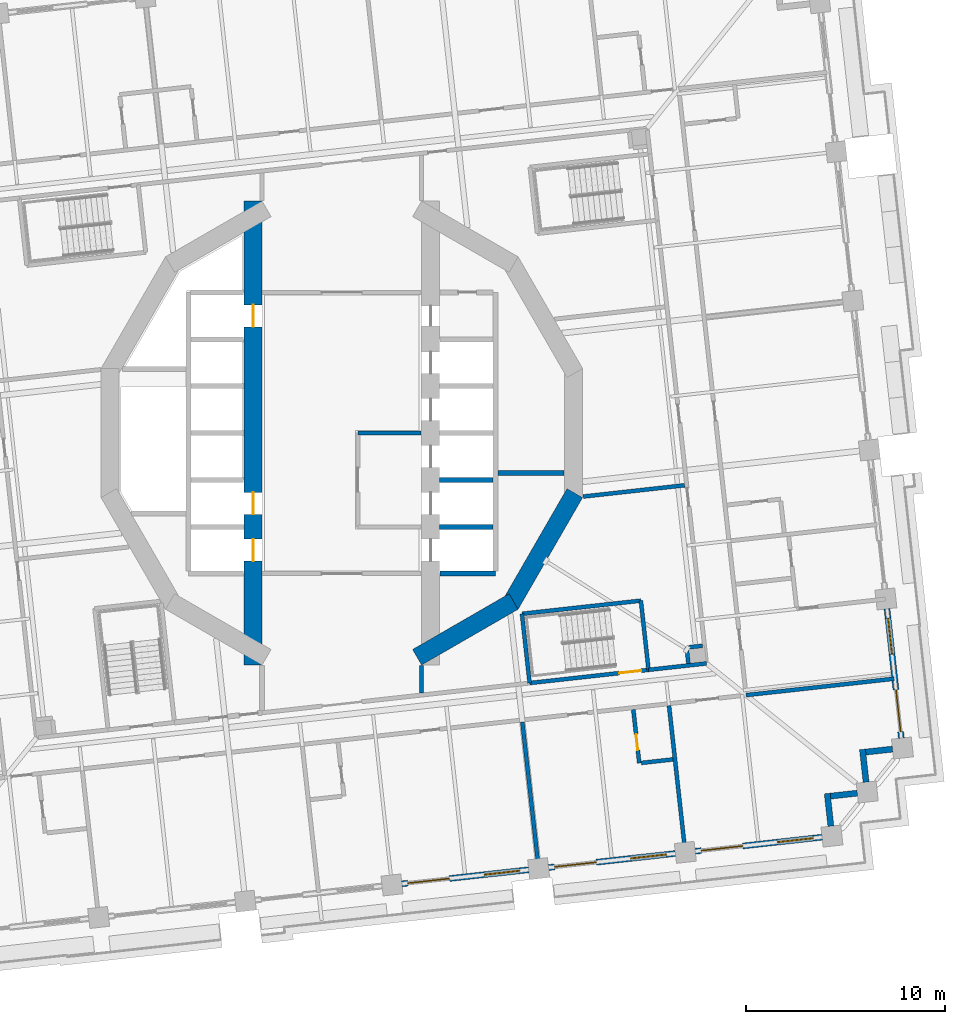
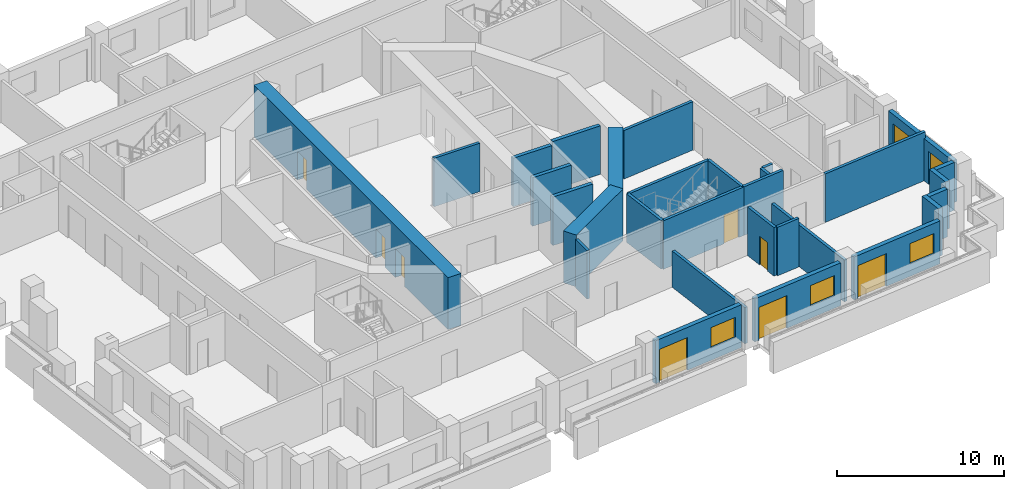
# One storey, part 6 of 19: 30 walls, 9 doors, 4 windows, 13 openings.
"""IFC4 building model written with IfcOpenShell, lengths in metres."""

from ifc_helpers import new_model, si_unit, direction, frame, frame_2d, origin, place, context, subcontext, project, spatial, rectangle, extrude, material, layer, layer_set, type_object, element, fill, save


model = new_model("IFC4")

# Units and contexts
model_context = context("Model", 3, precision=1e-05, world=origin(), true_north=direction((0.0, 1.0)))
body_context = subcontext(model_context, "Body", "Model", "MODEL_VIEW")
ifc_project = project(units=[si_unit("LENGTHUNIT", "METRE"), si_unit("AREAUNIT", "SQUARE_METRE"), si_unit("VOLUMEUNIT", "CUBIC_METRE"), si_unit("PLANEANGLEUNIT", "RADIAN"), si_unit("MASSUNIT", "GRAM", prefix="KILO")], contexts=[model_context])

# Site, building, storey
site_placement = place(None, origin())
site = spatial("IfcSite", under=ifc_project, at=site_placement, CompositionType="ELEMENT")
building_placement = place(site_placement, origin())
building = spatial("IfcBuilding", under=site, at=building_placement, Name="Cantera Rosa Tower", CompositionType="ELEMENT")
storey_placement = place(building_placement, frame((0.0, 0.0, 65.300048828125)))
storey = spatial("IfcBuildingStorey", under=building, at=storey_placement, Name="L13", CompositionType="ELEMENT", Elevation=65.300048828125)

# Walls
ifc_material_1 = material(Name="Gypsum board partition")
ifc_layer_1 = layer(ifc_material_1, 0.199951171875)
ifc_layer_set_1 = layer_set([ifc_layer_1], Name="CORRIDOR WALL 200 H3550")
wall_type_1 = type_object("IfcWallType", Name="CORRIDOR WALL 200 H3550", PredefinedType="PARTITIONING", material=ifc_layer_set_1)
wall_1_placement = place(storey_placement, frame((4.0, -13.038818359375, 0.0), z_axis=(0.0, 0.0, 1.0), x_axis=(0.0, 1.0, 0.0)))
element("IfcWall", 1, at=wall_1_placement, inside=storey, type_object=wall_type_1, Name="CORRIDOR WALL L13-060", PredefinedType="PARTITIONING", context=body_context, shape_type="SweptSolid", body=[
    extrude(rectangle(XDim=1.37158203125, YDim=0.199951171875, at=frame_2d((0.685791015625, 0.0))), origin(), (0.0, 0.0, 1.0), 3.550048828125),
])
wall_2_placement = place(storey_placement, frame((15.382080078125, -11.87548828125, 0.0), z_axis=(0.0, 0.0, 1.0), x_axis=(0.993899009794, 0.110293963256, 0.0)))
element("IfcWall", 2, at=wall_2_placement, inside=storey, type_object=wall_type_1, Name="CORRIDOR WALL L13-086", PredefinedType="PARTITIONING", context=body_context, shape_type="SweptSolid", body=[
    extrude(rectangle(XDim=2.921875, YDim=0.199951171875, at=frame_2d((1.4609375, 0.0))), origin(), (0.0, 0.0, 1.0), 3.550048828125),
])
ifc_material_2 = material(Name="Hollow clay masonry with cantera stone cladding", Category="masonry")
ifc_layer_2 = layer(ifc_material_2, 0.300048828125)
ifc_layer_set_2 = layer_set([ifc_layer_2], Name="EW-LOGGIA 300")
wall_type_2 = type_object("IfcWallType", Name="EW-LOGGIA 300", PredefinedType="SOLIDWALL", material=ifc_layer_set_2)
wall_3_placement = place(storey_placement, frame((24.5244140625, -19.71484375, 0.0), z_axis=(0.0, 0.0, 1.0), x_axis=(-0.110236638423, 0.993905369514, 0.0)))
element("IfcWall", 3, at=wall_3_placement, inside=storey, type_object=wall_type_2, Name="EN-L13-W29a", PredefinedType="SOLIDWALL", context=body_context, shape_type="SweptSolid", body=[
    extrude(rectangle(XDim=1.64990234375, YDim=0.300048828125, at=frame_2d((0.824951171875, 0.0))), origin(), (0.0, 0.0, 1.0), 3.5),
])
wall_4_placement = place(storey_placement, frame((24.508056640625, -18.20751953125, 0.0), z_axis=(0.0, 0.0, 1.0), x_axis=(0.993896959738, 0.110312435488, 0.0)))
element("IfcWall", 4, at=wall_4_placement, inside=storey, type_object=wall_type_2, Name="EN-L13-W29b", PredefinedType="SOLIDWALL", context=body_context, shape_type="SweptSolid", body=[
    extrude(rectangle(XDim=1.35009765625, YDim=0.300048828125, at=frame_2d((0.675048828125, 0.0))), origin(), (0.0, 0.0, 1.0), 3.5),
])
wall_5_placement = place(storey_placement, frame((26.291748046875, -17.506591796875, 0.0), z_axis=(0.0, 0.0, 1.0), x_axis=(-0.110382805355, 0.993889146878, 0.0)))
element("IfcWall", 5, at=wall_5_placement, inside=storey, type_object=wall_type_2, Name="EN-L13-W30a", PredefinedType="SOLIDWALL", context=body_context, shape_type="SweptSolid", body=[
    extrude(rectangle(XDim=1.64990234375, YDim=0.300048828125, at=frame_2d((0.824951171875, 0.0))), origin(), (0.0, 0.0, 1.0), 3.5),
])
wall_6_placement = place(storey_placement, frame((26.275146484375, -15.999267578125, 0.0), z_axis=(0.0, 0.0, 1.0), x_axis=(0.993896959738, 0.110312435488, 0.0)))
element("IfcWall", 6, at=wall_6_placement, inside=storey, type_object=wall_type_2, Name="EN-L13-W30b", PredefinedType="SOLIDWALL", context=body_context, shape_type="SweptSolid", body=[
    extrude(rectangle(XDim=1.35009765625, YDim=0.300048828125, at=frame_2d((0.675048828125, 0.0))), origin(), (0.0, 0.0, 1.0), 3.5),
])

# Wall, openings, window, door
ifc_material_3 = material(Name="Hollow clay masonry with cantera stone cladding", Category="masonry")
ifc_layer_3 = layer(ifc_material_3, 0.300048828125)
ifc_layer_set_3 = layer_set([ifc_layer_3], Name="EW-LOGGIA 300 H3090")
wall_type_3 = type_object("IfcWallType", Name="EW-LOGGIA 300 H3090", PredefinedType="SOLIDWALL", material=ifc_layer_set_3)
wall_7_placement = place(storey_placement, frame((28.058837890625, -15.298095703125, 0.0), z_axis=(0.0, 0.0, 1.0), x_axis=(-0.110312341265, 0.993896970196, 0.0)))
wall_7 = element("IfcWall", 7, at=wall_7_placement, inside=storey, type_object=wall_type_3, Name="EN-L13-W01", PredefinedType="SOLIDWALL", context=body_context, shape_type="SweptSolid", body=[
    extrude(rectangle(XDim=6.52001953125, YDim=0.300048828125, at=frame_2d((3.260009765625, 0.0))), origin(), (0.0, 0.0, 1.0), 3.08984375),
])
opening_1_placement = place(wall_7_placement, frame((0.330078125, 0.0, 0.0)))
opening_1 = element("IfcOpeningElement", 8, at=opening_1_placement, cuts=wall_7, Name="Opening L13-TD01", PredefinedType="OPENING", context=body_context, shape_type="SweptSolid", body=[
    extrude(rectangle(XDim=2.10009765625, YDim=2.39990234375, at=frame_2d((1.050048828125, 1.199951171875))), frame((0.0, 0.159912109375, 0.0), z_axis=(0.0, -1.0, 0.0), x_axis=(1.0, 0.0, 0.0)), (0.0, 0.0, 1.0), 0.320068359375),
])
opening_2_placement = place(wall_7_placement, frame((4.239990234375, 0.0, 0.89990234375)))
opening_2 = element("IfcOpeningElement", 9, at=opening_2_placement, cuts=wall_7, Name="Opening L13-W02", PredefinedType="OPENING", context=body_context, shape_type="SweptSolid", body=[
    extrude(rectangle(XDim=1.800048828125, YDim=1.5, at=frame_2d((0.89990234375, 0.75))), frame((0.0, 0.159912109375, 0.0), z_axis=(0.0, -1.0, 0.0), x_axis=(1.0, 0.0, 0.0)), (0.0, 0.0, 1.0), 0.320068359375),
])
ifc_material_4 = material(Name="Aluminium frame with clear glass", Category="aluminium")
window_type = type_object("IfcWindowType", Name="Hotel room window 1800x1500", PartitioningType="DOUBLE_PANEL_VERTICAL", PredefinedType="WINDOW", material=ifc_material_4)
window_1_placement = place(opening_2_placement, origin())
window_1 = element("IfcWindow", 10, at=window_1_placement, inside=storey, type_object=window_type, Name="WINDOW L13-W02", OverallHeight=1.5, OverallWidth=1.800048828125, PartitioningType="SINGLE_PANEL", PredefinedType="WINDOW", context=body_context, shape_type="SweptSolid", body=[
    extrude(rectangle(XDim=1.800048828125, YDim=1.5, at=frame_2d((0.89990234375, 0.75))), frame((0.0, 0.030029296875, 0.0), z_axis=(0.0, -1.0, 0.0), x_axis=(1.0, 0.0, 0.0)), (0.0, 0.0, 1.0), 0.06005859375),
])
fill(opening_2, window_1)
ifc_material_5 = material(Name="Aluminium frame with clear glass", Category="aluminium")
door_type_1 = type_object("IfcDoorType", Name="TD-H 2100x2400", OperationType="NOTDEFINED", PredefinedType="DOOR", material=ifc_material_5)
door_1_placement = place(opening_1_placement, origin())
door_1 = element("IfcDoor", 11, at=door_1_placement, inside=storey, type_object=door_type_1, Name="LOGGIA DOOR L13-TD01", OperationType="SLIDING_TO_LEFT", OverallHeight=2.39990234375, OverallWidth=2.10009765625, PredefinedType="DOOR", context=body_context, shape_type="SweptSolid", body=[
    extrude(rectangle(XDim=2.10009765625, YDim=2.39990234375, at=frame_2d((1.050048828125, 1.199951171875))), frame((0.0, 0.02490234375, 0.0), z_axis=(0.0, -1.0, 0.0), x_axis=(1.0, 0.0, 0.0)), (0.0, 0.0, 1.0), 0.050048828125),
])
fill(opening_1, door_1)

ifc_material_6 = material(Name="Hollow clay masonry with cantera stone cladding", Category="masonry")
ifc_layer_4 = layer(ifc_material_6, 0.300048828125)
ifc_layer_set_4 = layer_set([ifc_layer_4], Name="EW-LOGGIA 300 H3140")
wall_type_4 = type_object("IfcWallType", Name="EW-LOGGIA 300 H3140", PredefinedType="SOLIDWALL", material=ifc_layer_set_4)
wall_8_placement = place(storey_placement, frame((3.011962890625, -22.605712890625, 0.0), z_axis=(0.0, 0.0, 1.0), x_axis=(0.993896288542, 0.110318482689, 0.0)))
wall_8 = element("IfcWall", 12, at=wall_8_placement, inside=storey, type_object=wall_type_4, Name="EN-L13-W26", PredefinedType="SOLIDWALL", context=body_context, shape_type="SweptSolid", body=[
    extrude(rectangle(XDim=6.400146484375, YDim=0.300048828125, at=frame_2d((3.2001953125, 0.0))), origin(), (0.0, 0.0, 1.0), 3.139892578125),
])
opening_3_placement = place(wall_8_placement, frame((0.300048828125, 0.0, 0.0)))
opening_3 = element("IfcOpeningElement", 13, at=opening_3_placement, cuts=wall_8, Name="Opening L13-TD35", PredefinedType="OPENING", context=body_context, shape_type="SweptSolid", body=[
    extrude(rectangle(XDim=2.10009765625, YDim=2.39990234375, at=frame_2d((1.050048828125, 1.199951171875))), frame((0.0, 0.159912109375, 0.0), z_axis=(0.0, -1.0, 0.0), x_axis=(1.0, 0.0, 0.0)), (0.0, 0.0, 1.0), 0.320068359375),
])
opening_4_placement = place(wall_8_placement, frame((4.14990234375, 0.0, 0.89990234375)))
opening_4 = element("IfcOpeningElement", 14, at=opening_4_placement, cuts=wall_8, Name="Opening L13-W36", PredefinedType="OPENING", context=body_context, shape_type="SweptSolid", body=[
    extrude(rectangle(XDim=1.800048828125, YDim=1.5, at=frame_2d((0.89990234375, 0.75))), frame((0.0, 0.159912109375, 0.0), z_axis=(0.0, -1.0, 0.0), x_axis=(1.0, 0.0, 0.0)), (0.0, 0.0, 1.0), 0.320068359375),
])
window_2_placement = place(opening_4_placement, origin())
window_2 = element("IfcWindow", 15, at=window_2_placement, inside=storey, type_object=window_type, Name="WINDOW L13-W36", OverallHeight=1.5, OverallWidth=1.800048828125, PartitioningType="SINGLE_PANEL", PredefinedType="WINDOW", context=body_context, shape_type="SweptSolid", body=[
    extrude(rectangle(XDim=1.800048828125, YDim=1.5, at=frame_2d((0.89990234375, 0.75))), frame((0.0, 0.030029296875, 0.0), z_axis=(0.0, -1.0, 0.0), x_axis=(1.0, 0.0, 0.0)), (0.0, 0.0, 1.0), 0.06005859375),
])
fill(opening_4, window_2)
door_2_placement = place(opening_3_placement, origin())
door_2 = element("IfcDoor", 16, at=door_2_placement, inside=storey, type_object=door_type_1, Name="LOGGIA DOOR L13-TD35", OperationType="SLIDING_TO_LEFT", OverallHeight=2.39990234375, OverallWidth=2.10009765625, PredefinedType="DOOR", context=body_context, shape_type="SweptSolid", body=[
    extrude(rectangle(XDim=2.10009765625, YDim=2.39990234375, at=frame_2d((1.050048828125, 1.199951171875))), frame((0.0, 0.02490234375, 0.0), z_axis=(0.0, -1.0, 0.0), x_axis=(1.0, 0.0, 0.0)), (0.0, 0.0, 1.0), 0.050048828125),
])
fill(opening_3, door_2)

wall_9_placement = place(storey_placement, frame((10.366943359375, -21.789306640625, 0.0), z_axis=(0.0, 0.0, 1.0), x_axis=(0.993900006422, 0.110284981906, 0.0)))
wall_9 = element("IfcWall", 17, at=wall_9_placement, inside=storey, type_object=wall_type_4, Name="EN-L13-W27", PredefinedType="SOLIDWALL", context=body_context, shape_type="SweptSolid", body=[
    extrude(rectangle(XDim=6.39990234375, YDim=0.300048828125, at=frame_2d((3.199951171875, 0.0))), origin(), (0.0, 0.0, 1.0), 3.139892578125),
])
opening_5_placement = place(wall_9_placement, frame((0.300048828125, 0.0, 0.0)))
opening_5 = element("IfcOpeningElement", 18, at=opening_5_placement, cuts=wall_9, Name="Opening L13-TD37", PredefinedType="OPENING", context=body_context, shape_type="SweptSolid", body=[
    extrude(rectangle(XDim=2.10009765625, YDim=2.39990234375, at=frame_2d((1.050048828125, 1.199951171875))), frame((0.0, 0.159912109375, 0.0), z_axis=(0.0, -1.0, 0.0), x_axis=(1.0, 0.0, 0.0)), (0.0, 0.0, 1.0), 0.320068359375),
])
opening_6_placement = place(wall_9_placement, frame((4.14990234375, 0.0, 0.89990234375)))
opening_6 = element("IfcOpeningElement", 19, at=opening_6_placement, cuts=wall_9, Name="Opening L13-W38", PredefinedType="OPENING", context=body_context, shape_type="SweptSolid", body=[
    extrude(rectangle(XDim=1.800048828125, YDim=1.5, at=frame_2d((0.89990234375, 0.75))), frame((0.0, 0.159912109375, 0.0), z_axis=(0.0, -1.0, 0.0), x_axis=(1.0, 0.0, 0.0)), (0.0, 0.0, 1.0), 0.320068359375),
])
window_3_placement = place(opening_6_placement, origin())
window_3 = element("IfcWindow", 20, at=window_3_placement, inside=storey, type_object=window_type, Name="WINDOW L13-W38", OverallHeight=1.5, OverallWidth=1.800048828125, PartitioningType="SINGLE_PANEL", PredefinedType="WINDOW", context=body_context, shape_type="SweptSolid", body=[
    extrude(rectangle(XDim=1.800048828125, YDim=1.5, at=frame_2d((0.89990234375, 0.75))), frame((0.0, 0.030029296875, 0.0), z_axis=(0.0, -1.0, 0.0), x_axis=(1.0, 0.0, 0.0)), (0.0, 0.0, 1.0), 0.06005859375),
])
fill(opening_6, window_3)
door_3_placement = place(opening_5_placement, origin())
door_3 = element("IfcDoor", 21, at=door_3_placement, inside=storey, type_object=door_type_1, Name="LOGGIA DOOR L13-TD37", OperationType="SLIDING_TO_LEFT", OverallHeight=2.39990234375, OverallWidth=2.10009765625, PredefinedType="DOOR", context=body_context, shape_type="SweptSolid", body=[
    extrude(rectangle(XDim=2.10009765625, YDim=2.39990234375, at=frame_2d((1.050048828125, 1.199951171875))), frame((0.0, 0.02490234375, 0.0), z_axis=(0.0, -1.0, 0.0), x_axis=(1.0, 0.0, 0.0)), (0.0, 0.0, 1.0), 0.050048828125),
])
fill(opening_5, door_3)

wall_10_placement = place(storey_placement, frame((17.7216796875, -20.97314453125, 0.0), z_axis=(0.0, 0.0, 1.0), x_axis=(0.993896288542, 0.110318482689, 0.0)))
wall_10 = element("IfcWall", 22, at=wall_10_placement, inside=storey, type_object=wall_type_4, Name="EN-L13-W28", PredefinedType="SOLIDWALL", context=body_context, shape_type="SweptSolid", body=[
    extrude(rectangle(XDim=6.400146484375, YDim=0.300048828125, at=frame_2d((3.2001953125, 0.0))), origin(), (0.0, 0.0, 1.0), 3.139892578125),
])
opening_7_placement = place(wall_10_placement, frame((0.300048828125, 0.0, 0.0)))
opening_7 = element("IfcOpeningElement", 23, at=opening_7_placement, cuts=wall_10, Name="Opening L13-TD39", PredefinedType="OPENING", context=body_context, shape_type="SweptSolid", body=[
    extrude(rectangle(XDim=2.10009765625, YDim=2.39990234375, at=frame_2d((1.050048828125, 1.199951171875))), frame((0.0, 0.159912109375, 0.0), z_axis=(0.0, -1.0, 0.0), x_axis=(1.0, 0.0, 0.0)), (0.0, 0.0, 1.0), 0.320068359375),
])
opening_8_placement = place(wall_10_placement, frame((4.14990234375, 0.0, 0.89990234375)))
opening_8 = element("IfcOpeningElement", 24, at=opening_8_placement, cuts=wall_10, Name="Opening L13-W40", PredefinedType="OPENING", context=body_context, shape_type="SweptSolid", body=[
    extrude(rectangle(XDim=1.800048828125, YDim=1.5, at=frame_2d((0.89990234375, 0.75))), frame((0.0, 0.159912109375, 0.0), z_axis=(0.0, -1.0, 0.0), x_axis=(1.0, 0.0, 0.0)), (0.0, 0.0, 1.0), 0.320068359375),
])
window_4_placement = place(opening_8_placement, origin())
window_4 = element("IfcWindow", 25, at=window_4_placement, inside=storey, type_object=window_type, Name="WINDOW L13-W40", OverallHeight=1.5, OverallWidth=1.800048828125, PartitioningType="SINGLE_PANEL", PredefinedType="WINDOW", context=body_context, shape_type="SweptSolid", body=[
    extrude(rectangle(XDim=1.800048828125, YDim=1.5, at=frame_2d((0.89990234375, 0.75))), frame((0.0, 0.030029296875, 0.0), z_axis=(0.0, -1.0, 0.0), x_axis=(1.0, 0.0, 0.0)), (0.0, 0.0, 1.0), 0.06005859375),
])
fill(opening_8, window_4)
door_4_placement = place(opening_7_placement, origin())
door_4 = element("IfcDoor", 26, at=door_4_placement, inside=storey, type_object=door_type_1, Name="LOGGIA DOOR L13-TD39", OperationType="SLIDING_TO_LEFT", OverallHeight=2.39990234375, OverallWidth=2.10009765625, PredefinedType="DOOR", context=body_context, shape_type="SweptSolid", body=[
    extrude(rectangle(XDim=2.10009765625, YDim=2.39990234375, at=frame_2d((1.050048828125, 1.199951171875))), frame((0.0, 0.02490234375, 0.0), z_axis=(0.0, -1.0, 0.0), x_axis=(1.0, 0.0, 0.0)), (0.0, 0.0, 1.0), 0.050048828125),
])
fill(opening_7, door_4)

# Wall, opening, door
ifc_material_7 = material(Name="Gypsum board partition")
ifc_layer_5 = layer(ifc_material_7, 0.199951171875)
ifc_layer_set_5 = layer_set([ifc_layer_5], Name="PARTITION 200 H3550")
wall_type_5 = type_object("IfcWallType", Name="PARTITION 200 H3550", PredefinedType="PARTITIONING", material=ifc_layer_set_5)
wall_11_placement = place(storey_placement, frame((14.917236328125, -16.555419921875, 0.0), z_axis=(0.0, 0.0, 1.0), x_axis=(-0.110312435488, 0.993896959738, 0.0)))
wall_11 = element("IfcWall", 27, at=wall_11_placement, inside=storey, type_object=wall_type_5, Name="PARTITION L13-082", PredefinedType="PARTITIONING", context=body_context, shape_type="SweptSolid", body=[
    extrude(rectangle(XDim=2.699951171875, YDim=0.199951171875, at=frame_2d((1.35009765625, 0.0))), origin(), (0.0, 0.0, 1.0), 3.550048828125),
])
opening_9_placement = place(wall_11_placement, frame((0.6640625, 0.0, 0.0)))
opening_9 = element("IfcOpeningElement", 28, at=opening_9_placement, cuts=wall_11, Name="Opening L13-041", PredefinedType="OPENING", context=body_context, shape_type="SweptSolid", body=[
    extrude(rectangle(XDim=0.800048828125, YDim=2.10009765625, at=frame_2d((0.39990234375, 1.050048828125))), frame((0.0, 0.10986328125, 0.0), z_axis=(0.0, -1.0, 0.0), x_axis=(1.0, 0.0, 0.0)), (0.0, 0.0, 1.0), 0.219970703125),
])
ifc_material_8 = material(Name="Timber door leaf", Category="wood")
door_type_2 = type_object("IfcDoorType", Name="BATHROOM DOOR 800x2100", OperationType="NOTDEFINED", PredefinedType="DOOR", material=ifc_material_8)
door_5_placement = place(opening_9_placement, origin())
door_5 = element("IfcDoor", 29, at=door_5_placement, inside=storey, type_object=door_type_2, Name="DOOR L13-041", OperationType="NOTDEFINED", OverallHeight=2.10009765625, OverallWidth=0.800048828125, PredefinedType="DOOR", context=body_context, shape_type="SweptSolid", body=[
    extrude(rectangle(XDim=0.800048828125, YDim=2.10009765625, at=frame_2d((0.39990234375, 1.050048828125))), frame((0.0, 0.02490234375, 0.0), z_axis=(0.0, -1.0, 0.0), x_axis=(1.0, 0.0, 0.0)), (0.0, 0.0, 1.0), 0.050048828125),
])
fill(opening_9, door_5)

# Walls
wall_12_placement = place(storey_placement, frame((16.60693359375, -16.367919921875, 0.0), z_axis=(0.0, 0.0, 1.0), x_axis=(-0.99389675276, -0.110314300314, 0.0)))
element("IfcWall", 30, at=wall_12_placement, inside=storey, type_object=wall_type_5, Name="PARTITION L13-091", PredefinedType="PARTITIONING", context=body_context, shape_type="SweptSolid", body=[
    extrude(rectangle(XDim=1.60009765625, YDim=0.199951171875, at=frame_2d((0.800048828125, 0.0))), origin(), (0.0, 0.0, 1.0), 3.550048828125),
])
wall_13_placement = place(storey_placement, frame((17.292236328125, -10.758056640625, 0.0), z_axis=(0.0, 0.0, 1.0), x_axis=(0.110465018303, -0.993880012744, 0.0)))
element("IfcWall", 31, at=wall_13_placement, inside=storey, type_object=wall_type_5, Name="PARTITION L13-094", PredefinedType="PARTITIONING", context=body_context, shape_type="SweptSolid", body=[
    extrude(rectangle(XDim=0.800048828125, YDim=0.199951171875, at=frame_2d((0.39990234375, 0.0))), origin(), (0.0, 0.0, 1.0), 3.550048828125),
])
wall_14_placement = place(storey_placement, frame((17.19384765625, -2.619384765625, 0.0), z_axis=(0.0, 0.0, 1.0), x_axis=(-0.993901744429, -0.110269317674, 0.0)))
element("IfcWall", 32, at=wall_14_placement, inside=storey, type_object=wall_type_5, Name="PARTITION L13-095", PredefinedType="PARTITIONING", context=body_context, shape_type="SweptSolid", body=[
    extrude(rectangle(XDim=5.12109375, YDim=0.199951171875, at=frame_2d((2.560546875, 0.0))), origin(), (0.0, 0.0, 1.0), 3.550048828125),
])
wall_15_placement = place(storey_placement, frame((18.08740234375, -10.669921875, 0.0), z_axis=(0.0, 0.0, 1.0), x_axis=(-0.993909225707, -0.110201865026, 0.0)))
element("IfcWall", 33, at=wall_15_placement, inside=storey, type_object=wall_type_5, Name="PARTITION L13-097", PredefinedType="PARTITIONING", context=body_context, shape_type="SweptSolid", body=[
    extrude(rectangle(XDim=0.699951171875, YDim=0.199951171875, at=frame_2d((0.35009765625, 0.0))), origin(), (0.0, 0.0, 1.0), 3.550048828125),
])
ifc_material_9 = material(Name="Gypsum board partition")
ifc_layer_6 = layer(ifc_material_9, 0.199951171875)
ifc_layer_set_6 = layer_set([ifc_layer_6], Name="PARTY WALL 200 H2650")
wall_type_6 = type_object("IfcWallType", Name="PARTY WALL 200 H2650", PredefinedType="PARTITIONING", material=ifc_layer_set_6)
wall_16_placement = place(storey_placement, frame((9.0537109375, -14.48974609375, 0.0), z_axis=(0.0, 0.0, 1.0), x_axis=(0.11031154238, -0.993897058864, 0.0)))
element("IfcWall", 34, at=wall_16_placement, inside=storey, type_object=wall_type_6, Name="PARTY WALL L13-072", PredefinedType="PARTITIONING", context=body_context, shape_type="SweptSolid", body=[
    extrude(rectangle(XDim=7.369873046875, YDim=0.199951171875, at=frame_2d((3.68505859375, 0.0))), origin(), (0.0, 0.0, 1.0), 2.64990234375),
])
ifc_material_10 = material(Name="Gypsum board partition")
ifc_layer_7 = layer(ifc_material_10, 0.199951171875)
ifc_layer_set_7 = layer_set([ifc_layer_7], Name="PARTY WALL 200 H3050")
wall_type_7 = type_object("IfcWallType", Name="PARTY WALL 200 H3050", PredefinedType="PARTITIONING", material=ifc_layer_set_7)
wall_17_placement = place(storey_placement, frame((16.408447265625, -13.67333984375, 0.0), z_axis=(0.0, 0.0, 1.0), x_axis=(0.11031154238, -0.993897058864, 0.0)))
element("IfcWall", 35, at=wall_17_placement, inside=storey, type_object=wall_type_7, Name="PARTY WALL L13-090", PredefinedType="PARTITIONING", context=body_context, shape_type="SweptSolid", body=[
    extrude(rectangle(XDim=7.369873046875, YDim=0.199951171875, at=frame_2d((3.68505859375, 0.0))), origin(), (0.0, 0.0, 1.0), 3.050048828125),
])
ifc_material_11 = material(Name="Gypsum board partition")
ifc_layer_8 = layer(ifc_material_11, 0.199951171875)
ifc_layer_set_8 = layer_set([ifc_layer_8], Name="PARTY WALL 200 H3550")
wall_type_8 = type_object("IfcWallType", Name="PARTY WALL 200 H3550", PredefinedType="PARTITIONING", material=ifc_layer_set_8)
wall_18_placement = place(storey_placement, frame((27.697998046875, -12.319580078125, 0.0), z_axis=(0.0, 0.0, 1.0), x_axis=(-0.993894093242, -0.110338259085, 0.0)))
element("IfcWall", 36, at=wall_18_placement, inside=storey, type_object=wall_type_8, Name="PARTY WALL L13-108", PredefinedType="PARTITIONING", context=body_context, shape_type="SweptSolid", body=[
    extrude(rectangle(XDim=7.469970703125, YDim=0.199951171875, at=frame_2d((3.73486328125, 0.0))), origin(), (0.0, 0.0, 1.0), 3.550048828125),
])

# Wall, openings, doors
ifc_material_12 = material(Name="Concrete C70/85", Category="concrete")
ifc_layer_9 = layer(ifc_material_12, 0.89990234375)
ifc_layer_set_9 = layer_set([ifc_layer_9], Name="RC CORE WALL 900 C70/85")
wall_type_9 = type_object("IfcWallType", Name="RC CORE WALL 900 C70/85", PredefinedType="SHEAR", material=ifc_layer_set_9)
wall_19_placement = place(storey_placement, frame((-4.449951171875, 11.632568359375, 0.0), z_axis=(0.0, 0.0, 1.0), x_axis=(0.0, -1.0, 0.0)))
wall_19 = element("IfcWall", 37, at=wall_19_placement, inside=storey, type_object=wall_type_9, Name="CW-W6 L13", PredefinedType="SHEAR", context=body_context, shape_type="SweptSolid", body=[
    extrude(rectangle(XDim=23.26513671875, YDim=0.89990234375, at=frame_2d((11.632568359375, 0.0))), origin(), (0.0, 0.0, 1.0), 3.800048828125),
])
opening_10_placement = place(wall_19_placement, frame((14.607421875, 0.0, 0.0)))
opening_10 = element("IfcOpeningElement", 38, at=opening_10_placement, cuts=wall_19, Name="Opening LD-P3-L13", PredefinedType="OPENING", context=body_context, shape_type="SweptSolid", body=[
    extrude(rectangle(XDim=1.10009765625, YDim=2.10009765625, at=frame_2d((0.550048828125, 1.050048828125))), frame((0.0, 0.4599609375, 0.0), z_axis=(0.0, -1.0, 0.0), x_axis=(1.0, 0.0, 0.0)), (0.0, 0.0, 1.0), 0.919921875),
])
opening_11_placement = place(wall_19_placement, frame((16.95751953125, 0.0, 0.0)))
opening_11 = element("IfcOpeningElement", 39, at=opening_11_placement, cuts=wall_19, Name="Opening LD-P4-L13", PredefinedType="OPENING", context=body_context, shape_type="SweptSolid", body=[
    extrude(rectangle(XDim=1.10009765625, YDim=2.10009765625, at=frame_2d((0.550048828125, 1.050048828125))), frame((0.0, 0.4599609375, 0.0), z_axis=(0.0, -1.0, 0.0), x_axis=(1.0, 0.0, 0.0)), (0.0, 0.0, 1.0), 0.919921875),
])
opening_12_placement = place(wall_19_placement, frame((5.20751953125, 0.0, 0.0)))
opening_12 = element("IfcOpeningElement", 40, at=opening_12_placement, cuts=wall_19, Name="Opening LD-P5-L13", PredefinedType="OPENING", context=body_context, shape_type="SweptSolid", body=[
    extrude(rectangle(XDim=1.10009765625, YDim=2.10009765625, at=frame_2d((0.550048828125, 1.050048828125))), frame((0.0, 0.4599609375, 0.0), z_axis=(0.0, -1.0, 0.0), x_axis=(1.0, 0.0, 0.0)), (0.0, 0.0, 1.0), 0.919921875),
])
ifc_material_13 = material(Name="Steel S355J2 (EN 10025-2)", Category="steel")
door_type_3 = type_object("IfcDoorType", Name="LANDING DOOR 1100x2100", OperationType="NOTDEFINED", PredefinedType="DOOR", material=ifc_material_13)
door_6_placement = place(opening_10_placement, origin())
door_6 = element("IfcDoor", 41, at=door_6_placement, inside=storey, type_object=door_type_3, Name="LANDING DOOR P3 L13", OperationType="SLIDING_TO_LEFT", OverallHeight=2.10009765625, OverallWidth=1.10009765625, PredefinedType="DOOR", context=body_context, shape_type="SweptSolid", body=[
    extrude(rectangle(XDim=1.10009765625, YDim=2.10009765625, at=frame_2d((0.550048828125, 1.050048828125))), frame((0.0, 0.02490234375, 0.0), z_axis=(0.0, -1.0, 0.0), x_axis=(1.0, 0.0, 0.0)), (0.0, 0.0, 1.0), 0.050048828125),
])
fill(opening_10, door_6)
door_7_placement = place(opening_11_placement, origin())
door_7 = element("IfcDoor", 42, at=door_7_placement, inside=storey, type_object=door_type_3, Name="LANDING DOOR P4 L13", OperationType="SLIDING_TO_LEFT", OverallHeight=2.10009765625, OverallWidth=1.10009765625, PredefinedType="DOOR", context=body_context, shape_type="SweptSolid", body=[
    extrude(rectangle(XDim=1.10009765625, YDim=2.10009765625, at=frame_2d((0.550048828125, 1.050048828125))), frame((0.0, 0.02490234375, 0.0), z_axis=(0.0, -1.0, 0.0), x_axis=(1.0, 0.0, 0.0)), (0.0, 0.0, 1.0), 0.050048828125),
])
fill(opening_11, door_7)
door_8_placement = place(opening_12_placement, origin())
door_8 = element("IfcDoor", 43, at=door_8_placement, inside=storey, type_object=door_type_3, Name="LANDING DOOR P5 L13", OperationType="SLIDING_TO_LEFT", OverallHeight=2.10009765625, OverallWidth=1.10009765625, PredefinedType="DOOR", context=body_context, shape_type="SweptSolid", body=[
    extrude(rectangle(XDim=1.10009765625, YDim=2.10009765625, at=frame_2d((0.550048828125, 1.050048828125))), frame((0.0, 0.02490234375, 0.0), z_axis=(0.0, -1.0, 0.0), x_axis=(1.0, 0.0, 0.0)), (0.0, 0.0, 1.0), 0.050048828125),
])
fill(opening_12, door_8)

# Walls
wall_20_placement = place(storey_placement, frame((11.684326171875, -3.01025390625, 0.0), z_axis=(0.0, 0.0, 1.0), x_axis=(-0.499990282633, -0.866031014036, 0.0)))
element("IfcWall", 44, at=wall_20_placement, inside=storey, type_object=wall_type_9, Name="CW-E4 L13", PredefinedType="SHEAR", context=body_context, shape_type="SweptSolid", body=[
    extrude(rectangle(XDim=6.470458984375, YDim=0.89990234375, at=frame_2d((3.2353515625, 0.0))), origin(), (0.0, 0.0, 1.0), 3.800048828125),
])
wall_21_placement = place(storey_placement, frame((8.61376953125, -8.44921875, 0.0), z_axis=(0.0, 0.0, 1.0), x_axis=(-0.866026961591, -0.49999730179, 0.0)))
element("IfcWall", 45, at=wall_21_placement, inside=storey, type_object=wall_type_9, Name="CW-E5 L13", PredefinedType="SHEAR", context=body_context, shape_type="SweptSolid", body=[
    extrude(rectangle(XDim=5.58740234375, YDim=0.89990234375, at=frame_2d((2.793701171875, 0.0))), origin(), (0.0, 0.0, 1.0), 3.800048828125),
])
ifc_material_14 = material(Name="Masonry blockwork", Category="masonry")
ifc_layer_10 = layer(ifc_material_14, 0.25)
ifc_layer_set_10 = layer_set([ifc_layer_10], Name="SHAFT WALL 250 H3550")
wall_type_10 = type_object("IfcWallType", Name="SHAFT WALL 250 H3550", PredefinedType="SOLIDWALL", material=ifc_layer_set_10)
wall_22_placement = place(storey_placement, frame((4.89990234375, -4.699951171875, 0.0), z_axis=(0.0, 0.0, 1.0), x_axis=(1.0, 0.0, 0.0)))
element("IfcWall", 46, at=wall_22_placement, inside=storey, type_object=wall_type_10, Name="SHAFT WALL L13-062", PredefinedType="SOLIDWALL", context=body_context, shape_type="SweptSolid", body=[
    extrude(rectangle(XDim=2.675048828125, YDim=0.25, at=frame_2d((1.33740234375, 0.0))), origin(), (0.0, 0.0, 1.0), 3.550048828125),
])
wall_23_placement = place(storey_placement, frame((4.929931640625, -7.050048828125, 0.0), z_axis=(0.0, 0.0, 1.0), x_axis=(1.0, 0.0, 0.0)))
element("IfcWall", 47, at=wall_23_placement, inside=storey, type_object=wall_type_10, Name="SHAFT WALL L13-064", PredefinedType="SOLIDWALL", context=body_context, shape_type="SweptSolid", body=[
    extrude(rectangle(XDim=2.77001953125, YDim=0.25, at=frame_2d((1.385009765625, 0.0))), origin(), (0.0, 0.0, 1.0), 3.550048828125),
])
wall_24_placement = place(storey_placement, frame((7.574951171875, -2.35009765625, 0.0), z_axis=(0.0, 0.0, 1.0), x_axis=(-1.0, 0.0, 0.0)))
element("IfcWall", 48, at=wall_24_placement, inside=storey, type_object=wall_type_10, Name="SHAFT WALL L13-066", PredefinedType="SOLIDWALL", context=body_context, shape_type="SweptSolid", body=[
    extrude(rectangle(XDim=2.675048828125, YDim=0.25, at=frame_2d((1.33740234375, 0.0))), origin(), (0.0, 0.0, 1.0), 3.550048828125),
])
wall_25_placement = place(storey_placement, frame((7.824951171875, -2.0146484375, 0.0), z_axis=(0.0, 0.0, 1.0), x_axis=(1.0, 0.0, 0.0)))
element("IfcWall", 49, at=wall_25_placement, inside=storey, type_object=wall_type_10, Name="SHAFT WALL L13-067", PredefinedType="SOLIDWALL", context=body_context, shape_type="SweptSolid", body=[
    extrude(rectangle(XDim=3.319091796875, YDim=0.25, at=frame_2d((1.65966796875, 0.0))), origin(), (0.0, 0.0, 1.0), 3.550048828125),
])
ifc_material_15 = material(Name="Concrete C50/60", Category="concrete")
ifc_layer_11 = layer(ifc_material_15, 0.199951171875)
ifc_layer_set_11 = layer_set([ifc_layer_11], Name="STAIR WALL 200 H3550")
wall_type_11 = type_object("IfcWallType", Name="STAIR WALL 200 H3550", PredefinedType="SOLIDWALL", material=ifc_layer_set_11)
wall_26_placement = place(storey_placement, frame((0.800048828125, 0.0, 0.0), z_axis=(0.0, 0.0, 1.0), x_axis=(1.0, 0.0, 0.0)))
element("IfcWall", 50, at=wall_26_placement, inside=storey, type_object=wall_type_11, Name="STAIR WALL L13-056", PredefinedType="SOLIDWALL", context=body_context, shape_type="SweptSolid", body=[
    extrude(rectangle(XDim=3.169921875, YDim=0.199951171875, at=frame_2d((1.5849609375, 0.0))), origin(), (0.0, 0.0, 1.0), 3.550048828125),
])
wall_27_placement = place(storey_placement, frame((9.033447265625, -9.066162109375, 0.0), z_axis=(0.0, 0.0, 1.0), x_axis=(0.11030110325, -0.993898217436, 0.0)))
element("IfcWall", 51, at=wall_27_placement, inside=storey, type_object=wall_type_11, Name="STAIR WALL L13-071", PredefinedType="SOLIDWALL", context=body_context, shape_type="SweptSolid", body=[
    extrude(rectangle(XDim=3.49267578125, YDim=0.199951171875, at=frame_2d((1.746337890625, 0.0))), origin(), (0.0, 0.0, 1.0), 3.550048828125),
])

# Wall, opening, door
wall_28_placement = place(storey_placement, frame((9.418701171875, -12.53759765625, 0.0), z_axis=(0.0, 0.0, 1.0), x_axis=(0.993892663362, 0.110351138256, 0.0)))
wall_28 = element("IfcWall", 52, at=wall_28_placement, inside=storey, type_object=wall_type_11, Name="STAIR WALL L13-073", PredefinedType="SOLIDWALL", context=body_context, shape_type="SweptSolid", body=[
    extrude(rectangle(XDim=6.0, YDim=0.199951171875, at=frame_2d((3.0, 0.0))), origin(), (0.0, 0.0, 1.0), 3.550048828125),
])
opening_13_placement = place(wall_28_placement, frame((4.52490234375, 0.0, 0.0)))
opening_13 = element("IfcOpeningElement", 53, at=opening_13_placement, cuts=wall_28, Name="Opening L13-004", PredefinedType="OPENING", context=body_context, shape_type="SweptSolid", body=[
    extrude(rectangle(XDim=1.10009765625, YDim=2.10009765625, at=frame_2d((0.550048828125, 1.050048828125))), frame((0.0, 0.10986328125, 0.0), z_axis=(0.0, -1.0, 0.0), x_axis=(1.0, 0.0, 0.0)), (0.0, 0.0, 1.0), 0.219970703125),
])
ifc_material_16 = material(Name="Steel S355J2 (EN 10025-2)", Category="steel")
door_type_4 = type_object("IfcDoorType", Name="STAIR DOOR 1100x2100", OperationType="NOTDEFINED", PredefinedType="DOOR", material=ifc_material_16)
door_9_placement = place(opening_13_placement, origin())
door_9 = element("IfcDoor", 54, at=door_9_placement, inside=storey, type_object=door_type_4, Name="DOOR L13-004", OperationType="NOTDEFINED", OverallHeight=2.10009765625, OverallWidth=1.10009765625, PredefinedType="DOOR", context=body_context, shape_type="SweptSolid", body=[
    extrude(rectangle(XDim=1.10009765625, YDim=2.10009765625, at=frame_2d((0.550048828125, 1.050048828125))), frame((0.0, 0.02490234375, 0.0), z_axis=(0.0, -1.0, 0.0), x_axis=(1.0, 0.0, 0.0)), (0.0, 0.0, 1.0), 0.050048828125),
])
fill(opening_13, door_9)

# Walls
wall_29_placement = place(storey_placement, frame((14.996826171875, -8.404296875, 0.0), z_axis=(0.0, 0.0, 1.0), x_axis=(-0.993897125329, -0.110310943534, 0.0)))
element("IfcWall", 55, at=wall_29_placement, inside=storey, type_object=wall_type_11, Name="STAIR WALL L13-083", PredefinedType="SOLIDWALL", context=body_context, shape_type="SweptSolid", body=[
    extrude(rectangle(XDim=6.0, YDim=0.199951171875, at=frame_2d((3.0, 0.0))), origin(), (0.0, 0.0, 1.0), 3.550048828125),
])
wall_30_placement = place(storey_placement, frame((15.382080078125, -11.87548828125, 0.0), z_axis=(0.0, 0.0, 1.0), x_axis=(-0.110308766705, 0.993897366929, 0.0)))
element("IfcWall", 56, at=wall_30_placement, inside=storey, type_object=wall_type_11, Name="STAIR WALL L13-085", PredefinedType="SOLIDWALL", context=body_context, shape_type="SweptSolid", body=[
    extrude(rectangle(XDim=3.492431640625, YDim=0.199951171875, at=frame_2d((1.74609375, 0.0))), origin(), (0.0, 0.0, 1.0), 3.550048828125),
])

save(model, "model.ifc")
